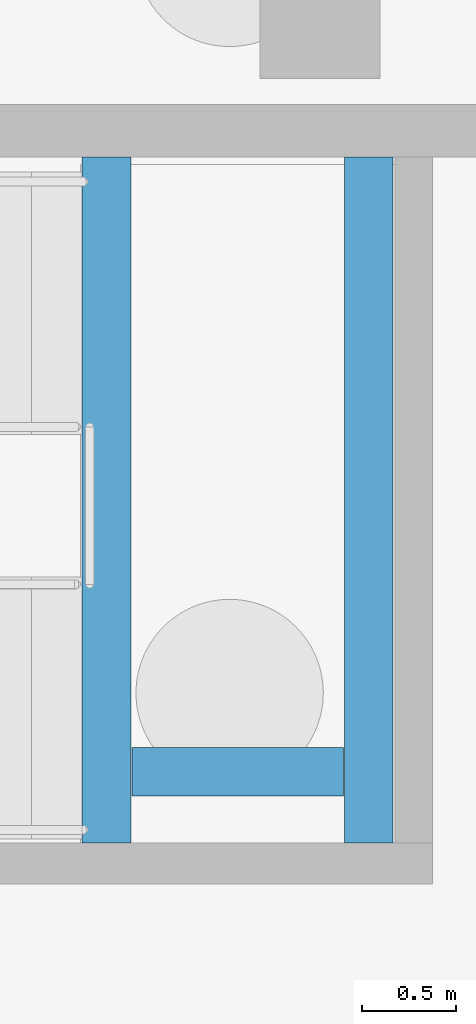
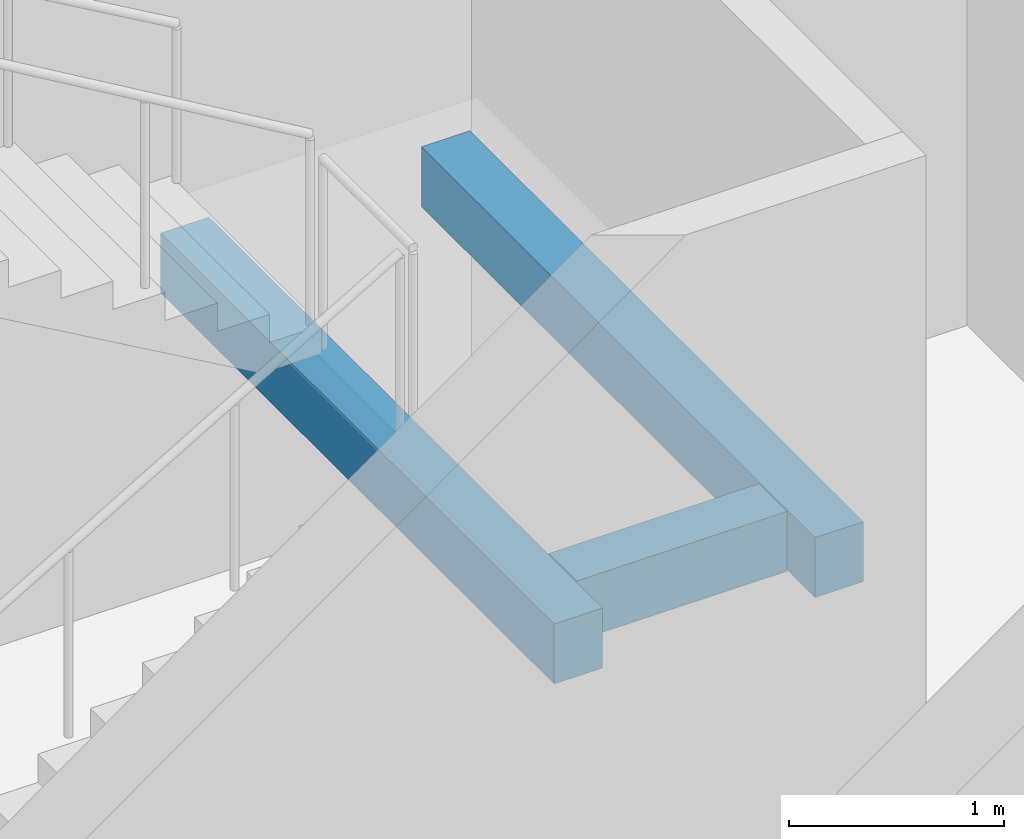
# One storey, part 60 of 98: 3 beams.
"""IFC4 building model written with IfcOpenShell, lengths in metres."""

from ifc_helpers import new_model, si_unit, direction, frame, origin, origin_2d, place, context, subcontext, project, spatial, rectangle, extrude, material, material_profile, profile_set, type_object, element, save


model = new_model("IFC4")

# Units and contexts
model_context = context("Model", 3, precision=1e-05, world=origin(), true_north=direction((0.0, 1.0)))
body_context = subcontext(model_context, "Body", "Model", "MODEL_VIEW")
ifc_project = project(units=[si_unit("LENGTHUNIT", "METRE"), si_unit("AREAUNIT", "SQUARE_METRE"), si_unit("VOLUMEUNIT", "CUBIC_METRE"), si_unit("PLANEANGLEUNIT", "RADIAN"), si_unit("MASSUNIT", "GRAM", prefix="KILO")], contexts=[model_context])

# Site, building, storey
site_placement = place(None, origin())
site = spatial("IfcSite", under=ifc_project, at=site_placement, CompositionType="ELEMENT")
building_placement = place(site_placement, origin())
building = spatial("IfcBuilding", under=site, at=building_placement, Name="Zornivar Specialist Clinic", CompositionType="ELEMENT")
storey_placement = place(building_placement, origin())
storey = spatial("IfcBuildingStorey", under=building, at=storey_placement, Name="L00", CompositionType="ELEMENT", Elevation=0.0)

# Beams
ifc_material = material(Name="Concrete C30/37", Category="concrete")
ifc_material_profile = material_profile(ifc_material, rectangle(XDim=0.260009765625, YDim=0.340087890625, at=origin_2d()), Name="RC 260x340")
ifc_profile_set = profile_set([ifc_material_profile], Name="Concrete C30/37")
beam_type = type_object("IfcBeamType", Name="BM-LAND-260x340", PredefinedType="BEAM", material=ifc_profile_set)
for number, where, z_axis, x_axis, name in (
    (1, (150.06005859375, 103.60009765625, 1.8701171875), (0.0, 1.0, 0.0), (-1.0, 0.0, 0.0), "bm:stair:C10:L00:lW"),
    (2, (151.4599609375, 103.60009765625, 1.8701171875), (0.0, 1.0, 0.0), (-1.0, 0.0, 0.0), "bm:stair:C10:L00:lE"),
):
    element("IfcBeam", number, at=place(storey_placement, frame(where, z_axis=z_axis, x_axis=x_axis)), inside=storey, type_object=beam_type, Name=name, PredefinedType="BEAM", context=body_context, shape_type="SweptSolid", body=[
        extrude(rectangle(XDim=0.260009765625, YDim=0.340087890625, at=origin_2d()), origin(), (0.0, 0.0, 1.0), 3.659912109375),
    ])
beam_placement = place(storey_placement, frame((150.195068359375, 103.97998046875, 1.8701171875), z_axis=(1.0, 0.0, 0.0), x_axis=(0.0, 1.0, 0.0)))
element("IfcBeam", 3, at=beam_placement, inside=storey, type_object=beam_type, Name="bm:stair:C10:L00:lS", PredefinedType="BEAM", context=body_context, shape_type="SweptSolid", body=[
    extrude(rectangle(XDim=0.260009765625, YDim=0.340087890625, at=origin_2d()), origin(), (0.0, 0.0, 1.0), 1.1298828125),
])

save(model, "model.ifc")
